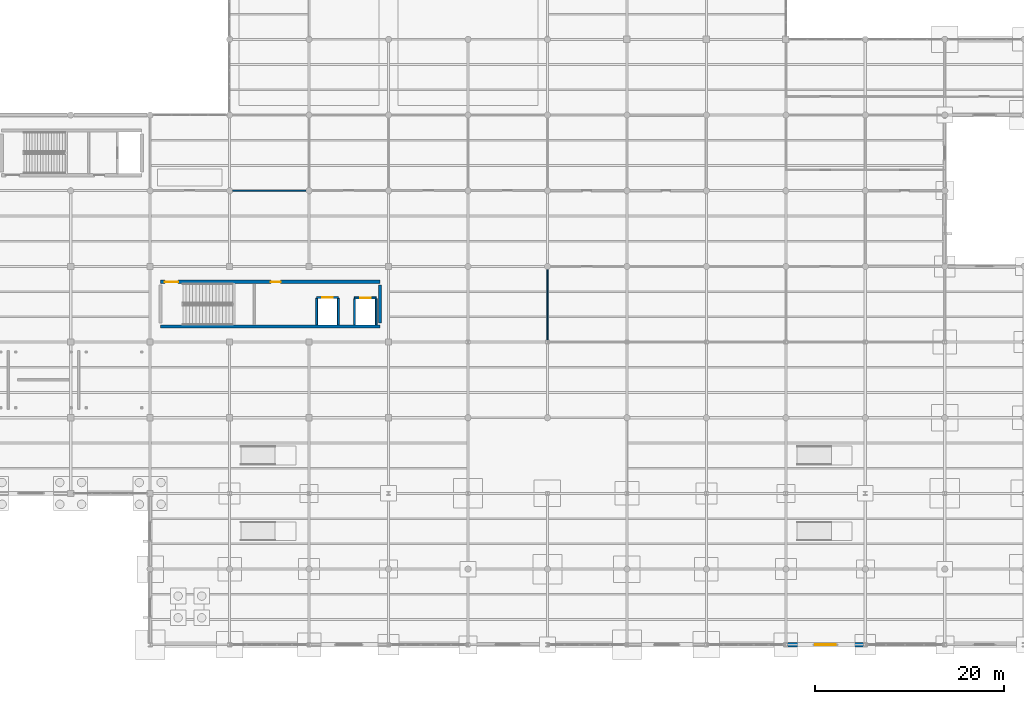
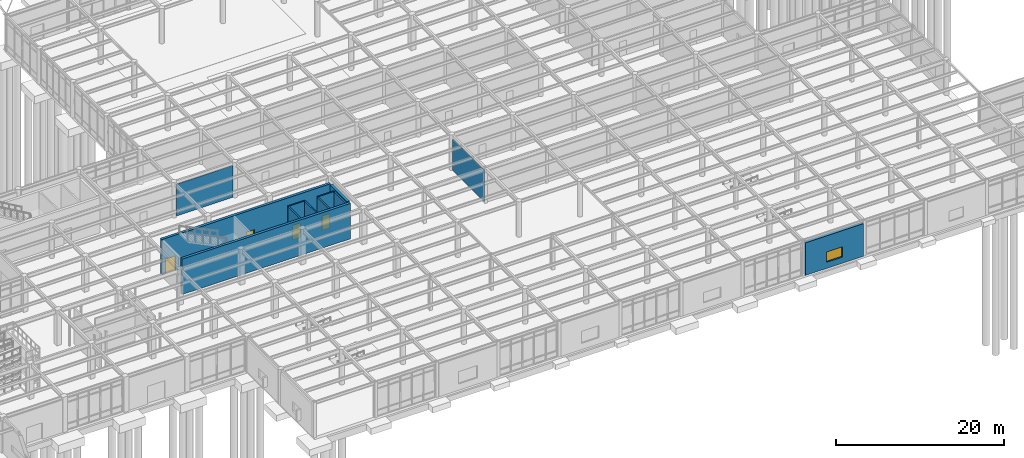
# One storey, part 78 of 138: 12 walls, 4 doors, 1 window, 5 openings.
"""IFC4 building model written with IfcOpenShell, lengths in metres."""

from ifc_helpers import new_model, si_unit, direction, frame, frame_2d, origin, place, context, subcontext, project, spatial, rectangle, extrude, material, layer, layer_set, type_object, element, fill, save


model = new_model("IFC4")

# Units and contexts
model_context = context("Model", 3, precision=1e-05, world=origin(), true_north=direction((0.0, 1.0)))
body_context = subcontext(model_context, "Body", "Model", "MODEL_VIEW")
ifc_project = project(units=[si_unit("LENGTHUNIT", "METRE"), si_unit("AREAUNIT", "SQUARE_METRE"), si_unit("VOLUMEUNIT", "CUBIC_METRE"), si_unit("PLANEANGLEUNIT", "RADIAN"), si_unit("MASSUNIT", "GRAM", prefix="KILO")], contexts=[model_context])

# Site, building, storey
site_placement = place(None, origin())
site = spatial("IfcSite", under=ifc_project, at=site_placement, CompositionType="ELEMENT")
building_placement = place(site_placement, origin())
building = spatial("IfcBuilding", under=site, at=building_placement, Name="Kranzveld Transit Interchange", CompositionType="ELEMENT")
storey_placement = place(building_placement, origin())
storey = spatial("IfcBuildingStorey", under=building, at=storey_placement, Name="L00", CompositionType="ELEMENT", Elevation=0.0)

# Wall
ifc_material_1 = material(Name="Concrete C40/50", Category="concrete")
ifc_layer_1 = layer(ifc_material_1, 0.35009765625)
ifc_layer_set_1 = layer_set([ifc_layer_1], Name="Concrete C40/50")
wall_type_1 = type_object("IfcWallType", Name="Core Shear Wall RC 350 C40/50", PredefinedType="SHEAR", material=ifc_layer_set_1)
wall_1_placement = place(storey_placement, frame((51.5, 33.639892578125, 0.0), z_axis=(0.0, 0.0, 1.0), x_axis=(1.0, 0.0, 0.0)))
element("IfcWall", 1, at=wall_1_placement, inside=storey, type_object=wall_type_1, Name="L00 Metro East & Bus Mezzanine Core C6 Shear Wall S", PredefinedType="SHEAR", context=body_context, shape_type="SweptSolid", body=[
    extrude(rectangle(XDim=23.199951171875, YDim=0.35009765625, at=frame_2d((11.60009765625, 0.0))), origin(), (0.0, 0.0, 1.0), 5.14990234375),
])

# Wall, openings, doors
wall_2_placement = place(storey_placement, frame((51.5, 38.360107421875, 0.0), z_axis=(0.0, 0.0, 1.0), x_axis=(1.0, 0.0, 0.0)))
wall_2 = element("IfcWall", 2, at=wall_2_placement, inside=storey, type_object=wall_type_1, Name="L00 Metro East & Bus Mezzanine Core C6 Shear Wall N", PredefinedType="SHEAR", context=body_context, shape_type="SweptSolid", body=[
    extrude(rectangle(XDim=23.199951171875, YDim=0.35009765625, at=frame_2d((11.60009765625, 0.0))), origin(), (0.0, 0.0, 1.0), 5.14990234375),
])
opening_1_placement = place(wall_2_placement, frame((0.449951171875, 0.0, 0.0), z_axis=(0.0, 0.0, 1.0), x_axis=(1.0, 0.0, 0.0)))
opening_1 = element("IfcOpeningElement", 3, at=opening_1_placement, cuts=wall_2, Name="Opening D-ST-C6-L00", PredefinedType="OPENING", context=body_context, shape_type="SweptSolid", body=[
    extrude(rectangle(XDim=1.39990234375, YDim=2.14990234375, at=frame_2d((0.699951171875, 1.074951171875))), frame((0.0, 0.18505859375, 0.0), z_axis=(0.0, -1.0, 0.0), x_axis=(1.0, 0.0, 0.0)), (0.0, 0.0, 1.0), 0.3701171875),
])
opening_2_placement = place(wall_2_placement, frame((11.64990234375, 0.0, 0.0), z_axis=(0.0, 0.0, 1.0), x_axis=(1.0, 0.0, 0.0)))
opening_2 = element("IfcOpeningElement", 4, at=opening_2_placement, cuts=wall_2, Name="Opening D-LB-C6-L00", PredefinedType="OPENING", context=body_context, shape_type="SweptSolid", body=[
    extrude(rectangle(XDim=1.050048828125, YDim=2.14990234375, at=frame_2d((0.52490234375, 1.074951171875))), frame((0.0, 0.18505859375, 0.0), z_axis=(0.0, -1.0, 0.0), x_axis=(1.0, 0.0, 0.0)), (0.0, 0.0, 1.0), 0.3701171875),
])
ifc_material_2 = material(Name="Steel S355JR", Category="steel")
door_type_1 = type_object("IfcDoorType", Name="Lift Lobby Fire Door 1050x2150 FD120S", OperationType="NOTDEFINED", PredefinedType="DOOR", material=ifc_material_2)
door_1_placement = place(opening_2_placement, origin())
door_1 = element("IfcDoor", 5, at=door_1_placement, inside=storey, type_object=door_type_1, Name="L00 Metro East & Bus Mezzanine Core C6 Lift Protected Lobby Door", OperationType="SINGLE_SWING_RIGHT", OverallHeight=2.14990234375, OverallWidth=1.050048828125, PredefinedType="DOOR", context=body_context, shape_type="SweptSolid", body=[
    extrude(rectangle(XDim=1.050048828125, YDim=2.14990234375, at=frame_2d((0.52490234375, 1.074951171875))), frame((0.0, 0.02490234375, 0.0), z_axis=(0.0, -1.0, 0.0), x_axis=(1.0, 0.0, 0.0)), (0.0, 0.0, 1.0), 0.050048828125),
])
fill(opening_2, door_1)
ifc_material_3 = material(Name="Steel S355JR", Category="steel")
door_type_2 = type_object("IfcDoorType", Name="Metro Stair Double Fire Door 1400x2150 FD120S", OperationType="NOTDEFINED", PredefinedType="DOOR", material=ifc_material_3)
door_2_placement = place(opening_1_placement, origin())
door_2 = element("IfcDoor", 6, at=door_2_placement, inside=storey, type_object=door_type_2, Name="L00 ST-M2 Protected Stair Door", OperationType="DOUBLE_DOOR_SINGLE_SWING", OverallHeight=2.14990234375, OverallWidth=1.39990234375, PredefinedType="DOOR", context=body_context, shape_type="SweptSolid", body=[
    extrude(rectangle(XDim=1.39990234375, YDim=2.14990234375, at=frame_2d((0.699951171875, 1.074951171875))), frame((0.0, 0.02490234375, 0.0), z_axis=(0.0, -1.0, 0.0), x_axis=(1.0, 0.0, 0.0)), (0.0, 0.0, 1.0), 0.050048828125),
])
fill(opening_1, door_2)

# Wall
wall_3_placement = place(storey_placement, frame((74.699951171875, 33.989990234375, 0.0), z_axis=(0.0, 0.0, 1.0), x_axis=(0.0, 1.0, 0.0)))
element("IfcWall", 7, at=wall_3_placement, inside=storey, type_object=wall_type_1, Name="L00 Metro East & Bus Mezzanine Core C6 Shear Wall E", PredefinedType="SHEAR", context=body_context, shape_type="SweptSolid", body=[
    extrude(rectangle(XDim=4.02001953125, YDim=0.35009765625, at=frame_2d((2.010009765625, 0.0))), origin(), (0.0, 0.0, 1.0), 5.14990234375),
])

# Wall, opening, window
ifc_material_4 = material(Name="Dark Pretoria clinker clay plinth brick, 40 MPa", Category="masonry")
ifc_layer_2 = layer(ifc_material_4, 0.43994140625)
ifc_layer_set_2 = layer_set([ifc_layer_2], Name="Dark Pretoria clinker clay plinth brick, 40 MPa")
wall_type_2 = type_object("IfcWallType", Name="Exterior Plinth Wall Dark Clinker 440", PredefinedType="SOLIDWALL", material=ifc_layer_set_2)
wall_4_placement = place(storey_placement, frame((117.799560546875, 0.0, 0.0), z_axis=(0.0, 0.0, 1.0), x_axis=(1.0, 0.0, 0.0)))
wall_4 = element("IfcWall", 8, at=wall_4_placement, inside=storey, type_object=wall_type_2, Name="L00 Clinker Facade Wall 15/A-16/A", PredefinedType="SOLIDWALL", context=body_context, shape_type="SweptSolid", body=[
    extrude(rectangle(XDim=8.0009765625, YDim=0.43994140625, at=frame_2d((4.00048828125, 0.0))), origin(), (0.0, 0.0, 1.0), 4.740478515625),
])
opening_3_placement = place(wall_4_placement, frame((2.900390625, 0.0, 0.89990234375), z_axis=(0.0, 0.0, 1.0), x_axis=(1.0, 0.0, 0.0)))
opening_3 = element("IfcOpeningElement", 9, at=opening_3_placement, cuts=wall_4, Name="Opening W-09", PredefinedType="OPENING", context=body_context, shape_type="SweptSolid", body=[
    extrude(rectangle(XDim=2.199951171875, YDim=1.5, at=frame_2d((1.10009765625, 0.75))), frame((0.0, 0.22998046875, 0.0), z_axis=(0.0, -1.0, 0.0), x_axis=(1.0, 0.0, 0.0)), (0.0, 0.0, 1.0), 0.4599609375),
])
ifc_material_5 = material(Name="Solar-control double glazing", Category="glass")
window_type = type_object("IfcWindowType", Name="Window Office Double 2200x1500", PartitioningType="DOUBLE_PANEL_VERTICAL", PredefinedType="WINDOW", material=ifc_material_5)
window_placement = place(opening_3_placement, origin())
window = element("IfcWindow", 10, at=window_placement, inside=storey, type_object=window_type, Name="L00 Facade Window 15/A", OverallHeight=1.5, OverallWidth=2.199951171875, PartitioningType="DOUBLE_PANEL_VERTICAL", PredefinedType="WINDOW", context=body_context, shape_type="SweptSolid", body=[
    extrude(rectangle(XDim=2.199951171875, YDim=1.5, at=frame_2d((1.10009765625, 0.75))), frame((0.0, 0.030029296875, 0.0), z_axis=(0.0, -1.0, 0.0), x_axis=(1.0, 0.0, 0.0)), (0.0, 0.0, 1.0), 0.06005859375),
])
fill(opening_3, window)

# Walls
ifc_material_6 = material(Name="Clay masonry unit wall, 20 MPa", Category="masonry")
ifc_layer_3 = layer(ifc_material_6, 0.125)
ifc_layer_set_3 = layer_set([ifc_layer_3], Name="Clay masonry unit wall, 20 MPa")
wall_type_3 = type_object("IfcWallType", Name="Internal Blockwork Partition 125", PredefinedType="PARTITIONING", material=ifc_layer_set_3)
wall_5_placement = place(storey_placement, frame((59.114990234375, 48.0, 0.0), z_axis=(0.0, 0.0, 1.0), x_axis=(1.0, 0.0, 0.0)))
element("IfcWall", 11, at=wall_5_placement, inside=storey, type_object=wall_type_3, Name="L00 Partition IW-L00-L00V1W-FRT-004-1", PredefinedType="PARTITIONING", context=body_context, shape_type="SweptSolid", body=[
    extrude(rectangle(XDim=7.77001953125, YDim=0.125, at=frame_2d((3.885009765625, 0.0))), origin(), (0.0, 0.0, 1.0), 4.60546875),
])
wall_6_placement = place(storey_placement, frame((92.39990234375, 32.186767578125, 0.0), z_axis=(0.0, 0.0, 1.0), x_axis=(0.0, 1.0, 0.0)))
element("IfcWall", 12, at=wall_6_placement, inside=storey, type_object=wall_type_3, Name="L00 Partition IW-L00-L00V2E-W-046-0", PredefinedType="PARTITIONING", context=body_context, shape_type="SweptSolid", body=[
    extrude(rectangle(XDim=7.498291015625, YDim=0.125, at=frame_2d((3.7490234375, 0.0))), origin(), (0.0, 0.0, 1.0), 4.54248046875),
])

# Wall, opening, door
ifc_material_7 = material(Name="Concrete C40/50", Category="concrete")
ifc_layer_4 = layer(ifc_material_7, 0.199951171875)
ifc_layer_set_4 = layer_set([ifc_layer_4], Name="Concrete C40/50")
wall_type_4 = type_object("IfcWallType", Name="Lift Shaft Enclosure Wall RC 200 EI120", PredefinedType="SHEAR", material=ifc_layer_set_4)
wall_7_placement = place(storey_placement, frame((68.0, 36.715087890625, 0.0), z_axis=(0.0, 0.0, 1.0), x_axis=(1.0, 0.0, 0.0)))
wall_7 = element("IfcWall", 13, at=wall_7_placement, inside=storey, type_object=wall_type_4, Name="L00 LF-M2 Shaft Front Wall", PredefinedType="SHEAR", context=body_context, shape_type="SweptSolid", body=[
    extrude(rectangle(XDim=2.300048828125, YDim=0.199951171875, at=frame_2d((1.14990234375, 0.0))), origin(), (0.0, 0.0, 1.0), 5.14990234375),
])
opening_4_placement = place(wall_7_placement, frame((0.60009765625, 0.0, 0.0), z_axis=(0.0, 0.0, 1.0), x_axis=(1.0, 0.0, 0.0)))
opening_4 = element("IfcOpeningElement", 14, at=opening_4_placement, cuts=wall_7, Name="Opening LD-LF-M2-L00", PredefinedType="OPENING", context=body_context, shape_type="SweptSolid", body=[
    extrude(rectangle(XDim=1.10009765625, YDim=2.14990234375, at=frame_2d((0.550048828125, 1.074951171875))), frame((0.0, 0.10986328125, 0.0), z_axis=(0.0, -1.0, 0.0), x_axis=(1.0, 0.0, 0.0)), (0.0, 0.0, 1.0), 0.219970703125),
])
ifc_material_8 = material(Name="Steel S355JR", Category="steel")
door_type_3 = type_object("IfcDoorType", Name="Lift Landing Sliding Door 1100x2150 FD120S", OperationType="NOTDEFINED", PredefinedType="DOOR", material=ifc_material_8)
door_3_placement = place(opening_4_placement, origin())
door_3 = element("IfcDoor", 15, at=door_3_placement, inside=storey, type_object=door_type_3, Name="L00 LF-M2 Sliding Landing Door", OperationType="DOUBLE_DOOR_SLIDING", OverallHeight=2.14990234375, OverallWidth=1.10009765625, PredefinedType="DOOR", context=body_context, shape_type="SweptSolid", body=[
    extrude(rectangle(XDim=1.10009765625, YDim=2.14990234375, at=frame_2d((0.550048828125, 1.074951171875))), frame((0.0, 0.02490234375, 0.0), z_axis=(0.0, -1.0, 0.0), x_axis=(1.0, 0.0, 0.0)), (0.0, 0.0, 1.0), 0.050048828125),
])
fill(opening_4, door_3)

# Walls
for number, where, z_axis, x_axis, name in (
    (16, (68.0, 33.81494140625, 0.0), (0.0, 0.0, 1.0), (0.0, 1.0, 0.0), "L00 LF-M2 Shaft Side Wall W"),
    (17, (70.300048828125, 33.81494140625, 0.0), (0.0, 0.0, 1.0), (0.0, 1.0, 0.0), "L00 LF-M2 Shaft Side Wall E"),
):
    element("IfcWall", number, at=place(storey_placement, frame(where, z_axis=z_axis, x_axis=x_axis)), inside=storey, type_object=wall_type_4, Name=name, PredefinedType="SHEAR", context=body_context, shape_type="SweptSolid", body=[
        extrude(rectangle(XDim=2.800048828125, YDim=0.199951171875, at=frame_2d((1.39990234375, 0.0))), origin(), (0.0, 0.0, 1.0), 5.14990234375),
    ])

# Wall, opening, door
wall_8_placement = place(storey_placement, frame((72.0, 36.6650390625, 0.0), z_axis=(0.0, 0.0, 1.0), x_axis=(1.0, 0.0, 0.0)))
wall_8 = element("IfcWall", 18, at=wall_8_placement, inside=storey, type_object=wall_type_4, Name="L00 LF-B1 Shaft Front Wall", PredefinedType="SHEAR", context=body_context, shape_type="SweptSolid", body=[
    extrude(rectangle(XDim=2.300048828125, YDim=0.199951171875, at=frame_2d((1.14990234375, 0.0))), origin(), (0.0, 0.0, 1.0), 5.14990234375),
])
opening_5_placement = place(wall_8_placement, frame((0.60009765625, 0.0, 0.0), z_axis=(0.0, 0.0, 1.0), x_axis=(1.0, 0.0, 0.0)))
opening_5 = element("IfcOpeningElement", 19, at=opening_5_placement, cuts=wall_8, Name="Opening LD-LF-B1-L00", PredefinedType="OPENING", context=body_context, shape_type="SweptSolid", body=[
    extrude(rectangle(XDim=1.10009765625, YDim=2.14990234375, at=frame_2d((0.550048828125, 1.074951171875))), frame((0.0, 0.10986328125, 0.0), z_axis=(0.0, -1.0, 0.0), x_axis=(1.0, 0.0, 0.0)), (0.0, 0.0, 1.0), 0.219970703125),
])
door_4_placement = place(opening_5_placement, origin())
door_4 = element("IfcDoor", 20, at=door_4_placement, inside=storey, type_object=door_type_3, Name="L00 LF-B1 Sliding Landing Door", OperationType="DOUBLE_DOOR_SLIDING", OverallHeight=2.14990234375, OverallWidth=1.10009765625, PredefinedType="DOOR", context=body_context, shape_type="SweptSolid", body=[
    extrude(rectangle(XDim=1.10009765625, YDim=2.14990234375, at=frame_2d((0.550048828125, 1.074951171875))), frame((0.0, 0.02490234375, 0.0), z_axis=(0.0, -1.0, 0.0), x_axis=(1.0, 0.0, 0.0)), (0.0, 0.0, 1.0), 0.050048828125),
])
fill(opening_5, door_4)

# Walls
for number, where, z_axis, x_axis, name in (
    (21, (72.0, 33.81494140625, 0.0), (0.0, 0.0, 1.0), (0.0, 1.0, 0.0), "L00 LF-B1 Shaft Side Wall W"),
    (22, (74.300048828125, 33.81494140625, 0.0), (0.0, 0.0, 1.0), (0.0, 1.0, 0.0), "L00 LF-B1 Shaft Side Wall E"),
):
    element("IfcWall", number, at=place(storey_placement, frame(where, z_axis=z_axis, x_axis=x_axis)), inside=storey, type_object=wall_type_4, Name=name, PredefinedType="SHEAR", context=body_context, shape_type="SweptSolid", body=[
        extrude(rectangle(XDim=2.75, YDim=0.199951171875, at=frame_2d((1.375, 0.0))), origin(), (0.0, 0.0, 1.0), 5.14990234375),
    ])

save(model, "model.ifc")
